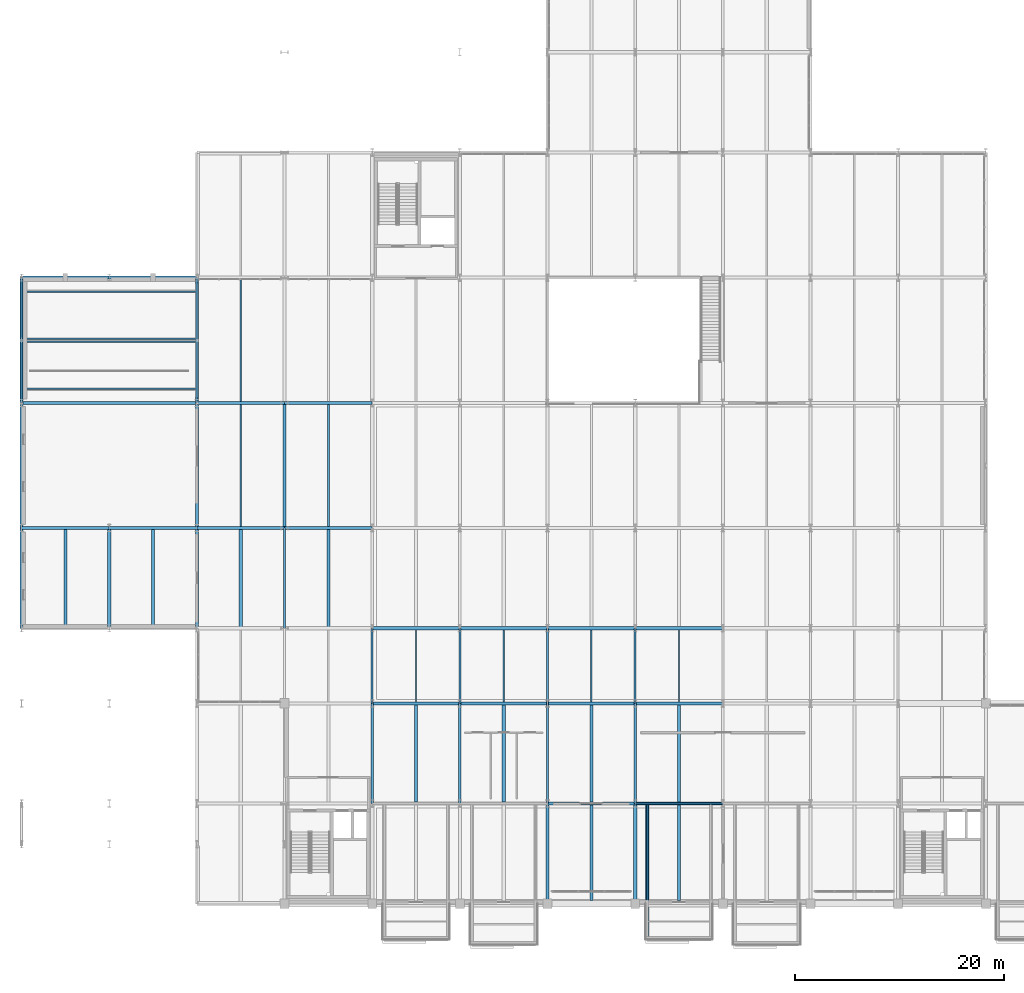
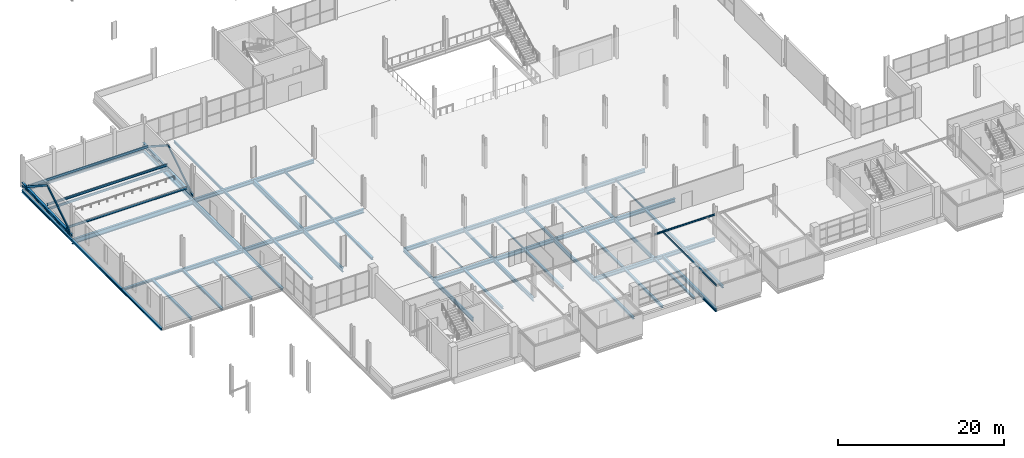
# One storey, part 20 of 113: 64 beams, 4 members.
"""IFC4 building model written with IfcOpenShell, lengths in metres."""

from ifc_helpers import new_model, si_unit, direction, frame, origin, origin_2d, place, context, subcontext, project, spatial, hollow_rectangle, i_section, extrude, material, material_profile, profile_set, type_object, element, save


model = new_model("IFC4")

# Units and contexts
model_context = context("Model", 3, precision=1e-05, world=origin(), true_north=direction((0.0, 1.0)))
body_context = subcontext(model_context, "Body", "Model", "MODEL_VIEW")
ifc_project = project(units=[si_unit("LENGTHUNIT", "METRE"), si_unit("AREAUNIT", "SQUARE_METRE"), si_unit("VOLUMEUNIT", "CUBIC_METRE"), si_unit("PLANEANGLEUNIT", "RADIAN"), si_unit("MASSUNIT", "GRAM", prefix="KILO")], contexts=[model_context])

# Site, building, storey
site_placement = place(None, origin())
site = spatial("IfcSite", under=ifc_project, at=site_placement, CompositionType="ELEMENT")
building_placement = place(site_placement, origin())
building = spatial("IfcBuilding", under=site, at=building_placement, Name="Veltarok Museum of Natural Sciences", CompositionType="ELEMENT")
storey_placement = place(building_placement, frame((0.0, 0.0, 8.39990234375)))
storey = spatial("IfcBuildingStorey", under=building, at=storey_placement, Name="L01", CompositionType="ELEMENT", Elevation=8.39990234375)

# Beams
ifc_material_1 = material(Name="Steel S355J2", Category="steel")
ifc_material_profile_1 = material_profile(ifc_material_1, i_section(OverallWidth=0.300048828125, OverallDepth=0.43994140625, WebThickness=0.011474609375, FlangeThickness=0.02099609375, FilletRadius=0.027099609375, at=origin_2d()), Name="HEA 450")
ifc_profile_set_1 = profile_set([ifc_material_profile_1], Name="Steel S355J2")
beam_type_1 = type_object("IfcBeamType", Name="Auditorium Tier Raker Beam HEA 450", PredefinedType="BEAM", material=ifc_profile_set_1)
for number, where, z_axis, x_axis, name in (
    (1, (6.39990234375, 48.0, 0.260009765625), (0.0, 0.999445177762, 0.033306705753), (-1.0, 0.0, 0.0), "Auditorium Balcony Raker Beam RAKER-L01-1"),
    (2, (23.199951171875, 48.0, 0.260009765625), (0.0, 0.999445177762, 0.033306705753), (-1.0, 0.0, 0.0), "Auditorium Balcony Raker Beam RAKER-L01-2"),
):
    element("IfcBeam", number, at=place(storey_placement, frame(where, z_axis=z_axis, x_axis=x_axis)), inside=storey, type_object=beam_type_1, Name=name, PredefinedType="BEAM", context=body_context, shape_type="SweptSolid", body=[
        extrude(i_section(OverallWidth=0.300048828125, OverallDepth=0.43994140625, WebThickness=0.011474609375, FlangeThickness=0.02099609375, FilletRadius=0.027099609375, at=origin_2d()), origin(), (0.0, 0.0, 1.0), 12.006591796875),
    ])
ifc_material_profile_2 = material_profile(ifc_material_1, i_section(OverallWidth=0.300048828125, OverallDepth=0.5, WebThickness=0.014404296875, FlangeThickness=0.028076171875, FilletRadius=0.027099609375, at=origin_2d()), Name="HEB 500")
ifc_profile_set_2 = profile_set([ifc_material_profile_2], Name="Steel S355J2")
beam_type_2 = type_object("IfcBeamType", Name="Cabinet Box Cantilever Girder HEB 500", PredefinedType="BEAM", material=ifc_profile_set_2)
beam_1_placement = place(storey_placement, frame((66.35009765625, -3.39990234375, -0.5), z_axis=(0.0, 1.0, 0.0), x_axis=(-1.0, 0.0, 0.0)))
element("IfcBeam", 3, at=beam_1_placement, inside=storey, type_object=beam_type_2, Name="Cabinet Cantilever Girder DB-03-1", PredefinedType="BEAM", context=body_context, shape_type="SweptSolid", body=[
    extrude(i_section(OverallWidth=0.300048828125, OverallDepth=0.5, WebThickness=0.014404296875, FlangeThickness=0.028076171875, FilletRadius=0.027099609375, at=origin_2d()), origin(), (0.0, 0.0, 1.0), 13.0),
])
ifc_material_profile_3 = material_profile(ifc_material_1, i_section(OverallWidth=0.1201171875, OverallDepth=0.239990234375, WebThickness=0.006103515625, FlangeThickness=0.009765625, FilletRadius=0.014892578125, at=origin_2d()), Name="IPE 240")
ifc_profile_set_3 = profile_set([ifc_material_profile_3], Name="Steel S355J2")
beam_type_3 = type_object("IfcBeamType", Name="Cabinet Box Secondary Joist IPE 240", PredefinedType="JOIST", material=ifc_profile_set_3)
beam_2_placement = place(storey_placement, frame((66.35009765625, -3.39990234375, 3.130126953125), z_axis=(0.0, 1.0, 0.0), x_axis=(-1.0, 0.0, 0.0)))
element("IfcBeam", 4, at=beam_2_placement, inside=storey, type_object=beam_type_3, Name="Cabinet Roof Rafter DB-03-1", PredefinedType="JOIST", context=body_context, shape_type="SweptSolid", body=[
    extrude(i_section(OverallWidth=0.1201171875, OverallDepth=0.239990234375, WebThickness=0.006103515625, FlangeThickness=0.009765625, FilletRadius=0.014892578125, at=origin_2d()), origin(), (0.0, 0.0, 1.0), 13.0),
])
beam_3_placement = place(storey_placement, frame((65.199951171875, 9.60009765625, 3.130126953125), z_axis=(1.0, 0.0, 0.0), x_axis=(0.0, 1.0, 0.0)))
element("IfcBeam", 5, at=beam_3_placement, inside=storey, type_object=beam_type_3, Name="Cabinet Roof Tie Beam DB-03-I", PredefinedType="JOIST", context=body_context, shape_type="SweptSolid", body=[
    extrude(i_section(OverallWidth=0.1201171875, OverallDepth=0.239990234375, WebThickness=0.006103515625, FlangeThickness=0.009765625, FilletRadius=0.014892578125, at=origin_2d()), origin(), (0.0, 0.0, 1.0), 8.400146484375),
])
ifc_material_profile_4 = material_profile(ifc_material_1, i_section(OverallWidth=0.300048828125, OverallDepth=0.330078125, WebThickness=0.009521484375, FlangeThickness=0.0166015625, FilletRadius=0.027099609375, at=origin_2d()), Name="HEA 340")
ifc_profile_set_4 = profile_set([ifc_material_profile_4], Name="Steel S355J2")
beam_type_4 = type_object("IfcBeamType", Name="Exhibition Floor Joist HEA 340", PredefinedType="JOIST", material=ifc_profile_set_4)
for number, where, z_axis, x_axis, name in (
    (6, (10.60009765625, 26.548095703125, -0.414794921875), (0.0, 1.0, 0.0), (-1.0, 0.0, 0.0), "Secondary Joist BM-J08 L01 1-2/D-E.1"),
    (7, (19.0, 26.548095703125, -0.414794921875), (0.0, 1.0, 0.0), (-1.0, 0.0, 0.0), "Secondary Joist BM-J08 L01 2-3/D-E.1"),
    (8, (27.39990234375, 26.548095703125, -0.414794921875), (0.0, 1.0, 0.0), (-1.0, 0.0, 0.0), "Secondary Joist BM-J08 L01 3-4/D-E.1"),
    (9, (35.800048828125, 26.548095703125, -0.414794921875), (0.0, 1.0, 0.0), (-1.0, 0.0, 0.0), "Secondary Joist BM-J08 L01 4-5/D-E.1"),
    (10, (44.199951171875, 9.748046875, -0.414794921875), (0.0, 1.0, 0.0), (-1.0, 0.0, 0.0), "Secondary Joist BM-J08 L01 5-6/B-C.1"),
    (11, (52.60009765625, 9.748046875, -0.414794921875), (0.0, 1.0, 0.0), (-1.0, 0.0, 0.0), "Secondary Joist BM-J08 L01 6-7/B-C.1"),
):
    element("IfcBeam", number, at=place(storey_placement, frame(where, z_axis=z_axis, x_axis=x_axis)), inside=storey, type_object=beam_type_4, Name=name, PredefinedType="JOIST", context=body_context, shape_type="SweptSolid", body=[
        extrude(i_section(OverallWidth=0.300048828125, OverallDepth=0.330078125, WebThickness=0.009521484375, FlangeThickness=0.0166015625, FilletRadius=0.027099609375, at=origin_2d()), origin(), (0.0, 0.0, 1.0), 9.303955078125),
    ])
beam_4_placement = place(storey_placement, frame((61.0, 0.298095703125, -0.414794921875), z_axis=(0.0, 1.0, 0.0), x_axis=(-1.0, 0.0, 0.0)))
element("IfcBeam", 12, at=beam_4_placement, inside=storey, type_object=beam_type_4, Name="Secondary Joist BM-J08 L01 7-8/A-B.1", PredefinedType="JOIST", context=body_context, shape_type="SweptSolid", body=[
    extrude(i_section(OverallWidth=0.300048828125, OverallDepth=0.330078125, WebThickness=0.009521484375, FlangeThickness=0.0166015625, FilletRadius=0.027099609375, at=origin_2d()), origin(), (0.0, 0.0, 1.0), 9.15380859375),
])
beam_5_placement = place(storey_placement, frame((61.0, 9.748046875, -0.414794921875), z_axis=(0.0, 1.0, 0.0), x_axis=(-1.0, 0.0, 0.0)))
element("IfcBeam", 13, at=beam_5_placement, inside=storey, type_object=beam_type_4, Name="Secondary Joist BM-J08 L01 7-8/B-C.1", PredefinedType="JOIST", context=body_context, shape_type="SweptSolid", body=[
    extrude(i_section(OverallWidth=0.300048828125, OverallDepth=0.330078125, WebThickness=0.009521484375, FlangeThickness=0.0166015625, FilletRadius=0.027099609375, at=origin_2d()), origin(), (0.0, 0.0, 1.0), 9.303955078125),
])
beam_6_placement = place(storey_placement, frame((69.39990234375, 0.298095703125, -0.414794921875), z_axis=(0.0, 1.0, 0.0), x_axis=(-1.0, 0.0, 0.0)))
element("IfcBeam", 14, at=beam_6_placement, inside=storey, type_object=beam_type_4, Name="Secondary Joist BM-J08 L01 8-9/A-B.1", PredefinedType="JOIST", context=body_context, shape_type="SweptSolid", body=[
    extrude(i_section(OverallWidth=0.300048828125, OverallDepth=0.330078125, WebThickness=0.009521484375, FlangeThickness=0.0166015625, FilletRadius=0.027099609375, at=origin_2d()), origin(), (0.0, 0.0, 1.0), 9.15380859375),
])
beam_7_placement = place(storey_placement, frame((69.39990234375, 9.748046875, -0.414794921875), z_axis=(0.0, 1.0, 0.0), x_axis=(-1.0, 0.0, 0.0)))
element("IfcBeam", 15, at=beam_7_placement, inside=storey, type_object=beam_type_4, Name="Secondary Joist BM-J08 L01 8-9/B-C.1", PredefinedType="JOIST", context=body_context, shape_type="SweptSolid", body=[
    extrude(i_section(OverallWidth=0.300048828125, OverallDepth=0.330078125, WebThickness=0.009521484375, FlangeThickness=0.0166015625, FilletRadius=0.027099609375, at=origin_2d()), origin(), (0.0, 0.0, 1.0), 9.303955078125),
])
ifc_material_profile_5 = material_profile(ifc_material_1, i_section(OverallWidth=0.300048828125, OverallDepth=0.550048828125, WebThickness=0.014892578125, FlangeThickness=0.029052734375, FilletRadius=0.027099609375, at=origin_2d()), Name="HEB 550")
ifc_profile_set_5 = profile_set([ifc_material_profile_5], Name="Steel S355J2")
beam_type_5 = type_object("IfcBeamType", Name="Gallery Girder HEB 550", PredefinedType="BEAM", material=ifc_profile_set_5)
beam_8_placement = place(storey_placement, frame((56.800048828125, 9.60009765625, -0.52490234375), z_axis=(1.0, 0.0, 0.0), x_axis=(0.0, 1.0, 0.0)))
element("IfcBeam", 16, at=beam_8_placement, inside=storey, type_object=beam_type_5, Name="Beam BM-G10 L01 7-8/B", PredefinedType="BEAM", context=body_context, shape_type="SweptSolid", body=[
    extrude(i_section(OverallWidth=0.300048828125, OverallDepth=0.550048828125, WebThickness=0.014892578125, FlangeThickness=0.029052734375, FilletRadius=0.027099609375, at=origin_2d()), origin(), (0.0, 0.0, 1.0), 8.39990234375),
])
beam_9_placement = place(storey_placement, frame((65.199951171875, 9.60009765625, -0.52490234375), z_axis=(1.0, 0.0, 0.0), x_axis=(0.0, 1.0, 0.0)))
element("IfcBeam", 17, at=beam_9_placement, inside=storey, type_object=beam_type_5, Name="Beam BM-G10 L01 8-9/B", PredefinedType="BEAM", context=body_context, shape_type="SweptSolid", body=[
    extrude(i_section(OverallWidth=0.300048828125, OverallDepth=0.550048828125, WebThickness=0.014892578125, FlangeThickness=0.029052734375, FilletRadius=0.027099609375, at=origin_2d()), origin(), (0.0, 0.0, 1.0), 8.400146484375),
])
beam_10_placement = place(storey_placement, frame((40.0, 19.199951171875, -0.52490234375), z_axis=(1.0, 0.0, 0.0), x_axis=(0.0, 1.0, 0.0)))
element("IfcBeam", 18, at=beam_10_placement, inside=storey, type_object=beam_type_5, Name="Beam BM-G10 L01 5-6/C", PredefinedType="BEAM", context=body_context, shape_type="SweptSolid", body=[
    extrude(i_section(OverallWidth=0.300048828125, OverallDepth=0.550048828125, WebThickness=0.014892578125, FlangeThickness=0.029052734375, FilletRadius=0.027099609375, at=origin_2d()), origin(), (0.0, 0.0, 1.0), 8.39990234375),
])
beam_11_placement = place(storey_placement, frame((48.39990234375, 19.199951171875, -0.52490234375), z_axis=(1.0, 0.0, 0.0), x_axis=(0.0, 1.0, 0.0)))
element("IfcBeam", 19, at=beam_11_placement, inside=storey, type_object=beam_type_5, Name="Beam BM-G10 L01 6-7/C", PredefinedType="BEAM", context=body_context, shape_type="SweptSolid", body=[
    extrude(i_section(OverallWidth=0.300048828125, OverallDepth=0.550048828125, WebThickness=0.014892578125, FlangeThickness=0.029052734375, FilletRadius=0.027099609375, at=origin_2d()), origin(), (0.0, 0.0, 1.0), 8.400146484375),
])
beam_12_placement = place(storey_placement, frame((56.800048828125, 19.199951171875, -0.52490234375), z_axis=(1.0, 0.0, 0.0), x_axis=(0.0, 1.0, 0.0)))
element("IfcBeam", 20, at=beam_12_placement, inside=storey, type_object=beam_type_5, Name="Beam BM-G10 L01 7-8/C", PredefinedType="BEAM", context=body_context, shape_type="SweptSolid", body=[
    extrude(i_section(OverallWidth=0.300048828125, OverallDepth=0.550048828125, WebThickness=0.014892578125, FlangeThickness=0.029052734375, FilletRadius=0.027099609375, at=origin_2d()), origin(), (0.0, 0.0, 1.0), 8.39990234375),
])
beam_13_placement = place(storey_placement, frame((65.199951171875, 19.199951171875, -0.52490234375), z_axis=(1.0, 0.0, 0.0), x_axis=(0.0, 1.0, 0.0)))
element("IfcBeam", 21, at=beam_13_placement, inside=storey, type_object=beam_type_5, Name="Beam BM-G10 L01 8-9/C", PredefinedType="BEAM", context=body_context, shape_type="SweptSolid", body=[
    extrude(i_section(OverallWidth=0.300048828125, OverallDepth=0.550048828125, WebThickness=0.014892578125, FlangeThickness=0.029052734375, FilletRadius=0.027099609375, at=origin_2d()), origin(), (0.0, 0.0, 1.0), 8.400146484375),
])
beam_14_placement = place(storey_placement, frame((40.0, 26.39990234375, -0.52490234375), z_axis=(1.0, 0.0, 0.0), x_axis=(0.0, 1.0, 0.0)))
element("IfcBeam", 22, at=beam_14_placement, inside=storey, type_object=beam_type_5, Name="Beam BM-G10 L01 5-6/D", PredefinedType="BEAM", context=body_context, shape_type="SweptSolid", body=[
    extrude(i_section(OverallWidth=0.300048828125, OverallDepth=0.550048828125, WebThickness=0.014892578125, FlangeThickness=0.029052734375, FilletRadius=0.027099609375, at=origin_2d()), origin(), (0.0, 0.0, 1.0), 8.39990234375),
])
beam_15_placement = place(storey_placement, frame((48.39990234375, 26.39990234375, -0.52490234375), z_axis=(1.0, 0.0, 0.0), x_axis=(0.0, 1.0, 0.0)))
element("IfcBeam", 23, at=beam_15_placement, inside=storey, type_object=beam_type_5, Name="Beam BM-G10 L01 6-7/D", PredefinedType="BEAM", context=body_context, shape_type="SweptSolid", body=[
    extrude(i_section(OverallWidth=0.300048828125, OverallDepth=0.550048828125, WebThickness=0.014892578125, FlangeThickness=0.029052734375, FilletRadius=0.027099609375, at=origin_2d()), origin(), (0.0, 0.0, 1.0), 8.400146484375),
])
beam_16_placement = place(storey_placement, frame((56.800048828125, 26.39990234375, -0.52490234375), z_axis=(1.0, 0.0, 0.0), x_axis=(0.0, 1.0, 0.0)))
element("IfcBeam", 24, at=beam_16_placement, inside=storey, type_object=beam_type_5, Name="Beam BM-G10 L01 7-8/D", PredefinedType="BEAM", context=body_context, shape_type="SweptSolid", body=[
    extrude(i_section(OverallWidth=0.300048828125, OverallDepth=0.550048828125, WebThickness=0.014892578125, FlangeThickness=0.029052734375, FilletRadius=0.027099609375, at=origin_2d()), origin(), (0.0, 0.0, 1.0), 8.39990234375),
])
beam_17_placement = place(storey_placement, frame((65.199951171875, 26.39990234375, -0.52490234375), z_axis=(1.0, 0.0, 0.0), x_axis=(0.0, 1.0, 0.0)))
element("IfcBeam", 25, at=beam_17_placement, inside=storey, type_object=beam_type_5, Name="Beam BM-G10 L01 8-9/D", PredefinedType="BEAM", context=body_context, shape_type="SweptSolid", body=[
    extrude(i_section(OverallWidth=0.300048828125, OverallDepth=0.550048828125, WebThickness=0.014892578125, FlangeThickness=0.029052734375, FilletRadius=0.027099609375, at=origin_2d()), origin(), (0.0, 0.0, 1.0), 8.400146484375),
])
beam_18_placement = place(storey_placement, frame((14.800048828125, 36.0, -0.52490234375), z_axis=(1.0, 0.0, 0.0), x_axis=(0.0, 1.0, 0.0)))
element("IfcBeam", 26, at=beam_18_placement, inside=storey, type_object=beam_type_5, Name="Beam BM-G10 L01 2-3/E", PredefinedType="BEAM", context=body_context, shape_type="SweptSolid", body=[
    extrude(i_section(OverallWidth=0.300048828125, OverallDepth=0.550048828125, WebThickness=0.014892578125, FlangeThickness=0.029052734375, FilletRadius=0.027099609375, at=origin_2d()), origin(), (0.0, 0.0, 1.0), 8.39990234375),
])
beam_19_placement = place(storey_placement, frame((23.199951171875, 36.0, -0.52490234375), z_axis=(1.0, 0.0, 0.0), x_axis=(0.0, 1.0, 0.0)))
element("IfcBeam", 27, at=beam_19_placement, inside=storey, type_object=beam_type_5, Name="Beam BM-G10 L01 3-4/E", PredefinedType="BEAM", context=body_context, shape_type="SweptSolid", body=[
    extrude(i_section(OverallWidth=0.300048828125, OverallDepth=0.550048828125, WebThickness=0.014892578125, FlangeThickness=0.029052734375, FilletRadius=0.027099609375, at=origin_2d()), origin(), (0.0, 0.0, 1.0), 8.400146484375),
])
beam_20_placement = place(storey_placement, frame((31.60009765625, 36.0, -0.52490234375), z_axis=(1.0, 0.0, 0.0), x_axis=(0.0, 1.0, 0.0)))
element("IfcBeam", 28, at=beam_20_placement, inside=storey, type_object=beam_type_5, Name="Beam BM-G10 L01 4-5/E", PredefinedType="BEAM", context=body_context, shape_type="SweptSolid", body=[
    extrude(i_section(OverallWidth=0.300048828125, OverallDepth=0.550048828125, WebThickness=0.014892578125, FlangeThickness=0.029052734375, FilletRadius=0.027099609375, at=origin_2d()), origin(), (0.0, 0.0, 1.0), 8.39990234375),
])
beam_21_placement = place(storey_placement, frame((23.199951171875, 48.0, -0.52490234375), z_axis=(1.0, 0.0, 0.0), x_axis=(0.0, 1.0, 0.0)))
element("IfcBeam", 29, at=beam_21_placement, inside=storey, type_object=beam_type_5, Name="Beam BM-G10 L01 3-4/F", PredefinedType="BEAM", context=body_context, shape_type="SweptSolid", body=[
    extrude(i_section(OverallWidth=0.300048828125, OverallDepth=0.550048828125, WebThickness=0.014892578125, FlangeThickness=0.029052734375, FilletRadius=0.027099609375, at=origin_2d()), origin(), (0.0, 0.0, 1.0), 8.400146484375),
])
beam_22_placement = place(storey_placement, frame((31.60009765625, 48.0, -0.52490234375), z_axis=(1.0, 0.0, 0.0), x_axis=(0.0, 1.0, 0.0)))
element("IfcBeam", 30, at=beam_22_placement, inside=storey, type_object=beam_type_5, Name="Beam BM-G10 L01 4-5/F", PredefinedType="BEAM", context=body_context, shape_type="SweptSolid", body=[
    extrude(i_section(OverallWidth=0.300048828125, OverallDepth=0.550048828125, WebThickness=0.014892578125, FlangeThickness=0.029052734375, FilletRadius=0.027099609375, at=origin_2d()), origin(), (0.0, 0.0, 1.0), 8.39990234375),
])
ifc_material_profile_6 = material_profile(ifc_material_1, i_section(OverallWidth=0.18994140625, OverallDepth=0.449951171875, WebThickness=0.009521484375, FlangeThickness=0.0146484375, FilletRadius=0.02099609375, at=origin_2d()), Name="IPE 450")
ifc_profile_set_6 = profile_set([ifc_material_profile_6], Name="Steel S355J2")
beam_type_6 = type_object("IfcBeamType", Name="Laboratory Floor Girder IPE 450", PredefinedType="BEAM", material=ifc_profile_set_6)
for number, where, z_axis, x_axis, name in (
    (31, (40.0, 19.199951171875, -0.474853515625), (0.0, 1.0, 0.0), (-1.0, 0.0, 0.0), "Beam BM-G05 L01 5/C-D"),
    (32, (48.39990234375, 19.199951171875, -0.474853515625), (0.0, 1.0, 0.0), (-1.0, 0.0, 0.0), "Beam BM-G05 L01 6/C-D"),
    (33, (56.800048828125, 19.199951171875, -0.474853515625), (0.0, 1.0, 0.0), (-1.0, 0.0, 0.0), "Beam BM-G05 L01 7/C-D"),
    (34, (65.199951171875, 19.199951171875, -0.474853515625), (0.0, 1.0, 0.0), (-1.0, 0.0, 0.0), "Beam BM-G05 L01 8/C-D"),
):
    element("IfcBeam", number, at=place(storey_placement, frame(where, z_axis=z_axis, x_axis=x_axis)), inside=storey, type_object=beam_type_6, Name=name, PredefinedType="BEAM", context=body_context, shape_type="SweptSolid", body=[
        extrude(i_section(OverallWidth=0.18994140625, OverallDepth=0.449951171875, WebThickness=0.009521484375, FlangeThickness=0.0146484375, FilletRadius=0.02099609375, at=origin_2d()), origin(), (0.0, 0.0, 1.0), 7.199951171875),
    ])
ifc_material_profile_7 = material_profile(ifc_material_1, i_section(OverallWidth=0.169921875, OverallDepth=0.360107421875, WebThickness=0.008056640625, FlangeThickness=0.0126953125, FilletRadius=0.01806640625, at=origin_2d()), Name="IPE 360")
ifc_profile_set_7 = profile_set([ifc_material_profile_7], Name="Steel S355J2")
beam_type_7 = type_object("IfcBeamType", Name="Long-Bay Composite Joist IPE 360", PredefinedType="JOIST", material=ifc_profile_set_7)
for number, where, z_axis, x_axis, name in (
    (35, (27.39990234375, 36.14794921875, -0.429931640625), (0.0, 1.0, 0.0), (-1.0, 0.0, 0.0), "Secondary Joist BM-J01 L01 3-4/E-F.1"),
    (36, (27.39990234375, 48.14794921875, -0.429931640625), (0.0, 1.0, 0.0), (-1.0, 0.0, 0.0), "Secondary Joist BM-J01 L01 3-4/F-G.1"),
    (37, (35.800048828125, 36.14794921875, -0.429931640625), (0.0, 1.0, 0.0), (-1.0, 0.0, 0.0), "Secondary Joist BM-J01 L01 4-5/E-F.1"),
):
    element("IfcBeam", number, at=place(storey_placement, frame(where, z_axis=z_axis, x_axis=x_axis)), inside=storey, type_object=beam_type_7, Name=name, PredefinedType="JOIST", context=body_context, shape_type="SweptSolid", body=[
        extrude(i_section(OverallWidth=0.169921875, OverallDepth=0.360107421875, WebThickness=0.008056640625, FlangeThickness=0.0126953125, FilletRadius=0.01806640625, at=origin_2d()), origin(), (0.0, 0.0, 1.0), 11.7041015625),
    ])
ifc_material_profile_8 = material_profile(ifc_material_1, i_section(OverallWidth=0.300048828125, OverallDepth=0.699951171875, WebThickness=0.01708984375, FlangeThickness=0.031982421875, FilletRadius=0.027099609375, at=origin_2d()), Name="HEB 700")
ifc_profile_set_8 = profile_set([ifc_material_profile_8], Name="Steel S355J2")
beam_type_8 = type_object("IfcBeamType", Name="Long-Span Hall Girder HEB 700", PredefinedType="BEAM", material=ifc_profile_set_8)
beam_23_placement = place(storey_placement, frame((6.39990234375, 48.0, -0.599853515625), z_axis=(1.0, 0.0, 0.0), x_axis=(0.0, 1.0, 0.0)))
element("IfcBeam", 38, at=beam_23_placement, inside=storey, type_object=beam_type_8, Name="Auditorium Long-Span Girder L01 1-3/F", PredefinedType="BEAM", context=body_context, shape_type="SweptSolid", body=[
    extrude(i_section(OverallWidth=0.300048828125, OverallDepth=0.699951171875, WebThickness=0.01708984375, FlangeThickness=0.031982421875, FilletRadius=0.027099609375, at=origin_2d()), origin(), (0.0, 0.0, 1.0), 16.800048828125),
])
for number, where, z_axis, x_axis, name in (
    (39, (23.199951171875, 36.0, -0.599853515625), (0.0, 1.0, 0.0), (-1.0, 0.0, 0.0), "Beam BM-G01 L01 3/E-F"),
    (40, (31.60009765625, 36.0, -0.599853515625), (0.0, 1.0, 0.0), (-1.0, 0.0, 0.0), "Beam BM-G01 L01 4/E-F"),
):
    element("IfcBeam", number, at=place(storey_placement, frame(where, z_axis=z_axis, x_axis=x_axis)), inside=storey, type_object=beam_type_8, Name=name, PredefinedType="BEAM", context=body_context, shape_type="SweptSolid", body=[
        extrude(i_section(OverallWidth=0.300048828125, OverallDepth=0.699951171875, WebThickness=0.01708984375, FlangeThickness=0.031982421875, FilletRadius=0.027099609375, at=origin_2d()), origin(), (0.0, 0.0, 1.0), 12.0),
    ])
ifc_material_profile_9 = material_profile(ifc_material_1, i_section(OverallWidth=0.159912109375, OverallDepth=0.330078125, WebThickness=0.007568359375, FlangeThickness=0.011474609375, FilletRadius=0.01806640625, at=origin_2d()), Name="IPE 330")
ifc_profile_set_9 = profile_set([ifc_material_profile_9], Name="Steel S355J2")
beam_type_9 = type_object("IfcBeamType", Name="Medium-Bay Composite Joist IPE 330", PredefinedType="JOIST", material=ifc_profile_set_9)
for number, where, z_axis, x_axis, name in (
    (41, (6.39990234375, 49.35009765625, 0.635009765625), (1.0, 0.0, 0.0), (0.0, 1.0, 0.0), "Auditorium Balcony Tier Joist L01-1F"),
    (42, (6.39990234375, 53.85009765625, 0.635009765625), (1.0, 0.0, 0.0), (0.0, 1.0, 0.0), "Auditorium Balcony Tier Joist L01-1B"),
    (43, (6.39990234375, 54.14990234375, 1.085205078125), (1.0, 0.0, 0.0), (0.0, 1.0, 0.0), "Auditorium Balcony Tier Joist L01-2F"),
    (44, (6.39990234375, 58.64990234375, 1.085205078125), (1.0, 0.0, 0.0), (0.0, 1.0, 0.0), "Auditorium Balcony Tier Joist L01-2B"),
):
    element("IfcBeam", number, at=place(storey_placement, frame(where, z_axis=z_axis, x_axis=x_axis)), inside=storey, type_object=beam_type_9, Name=name, PredefinedType="JOIST", context=body_context, shape_type="SweptSolid", body=[
        extrude(i_section(OverallWidth=0.159912109375, OverallDepth=0.330078125, WebThickness=0.007568359375, FlangeThickness=0.011474609375, FilletRadius=0.01806640625, at=origin_2d()), origin(), (0.0, 0.0, 1.0), 16.800048828125),
    ])

# Members
ifc_material_2 = material(Name="Oxide-red painted Steel S355J2", Category="steel")
ifc_material_profile_10 = material_profile(ifc_material_2, hollow_rectangle(XDim=0.14990234375, YDim=0.25, WallThickness=0.010009765625, at=origin_2d()), Name="RHS 250x150x10")
ifc_profile_set_10 = profile_set([ifc_material_profile_10], Name="Oxide-red painted Steel S355J2")
member_type = type_object("IfcMemberType", Name="Perimeter Frame Lateral Brace RHS 250x150x10", PredefinedType="BRACE", material=ifc_profile_set_10)
for number, where, z_axis, x_axis, name in (
    (45, (6.39990234375, 48.0, 0.150146484375), (0.0, 0.840366487678, 0.54201860336), (-1.0, 0.0, 0.0), "Chevron Lateral Brace L01 1/F-G"),
    (46, (6.39990234375, 60.0, 0.150146484375), (0.0, -0.840366487678, 0.54201860336), (1.0, 0.0, 0.0), "Chevron Lateral Brace L01 1/F-G"),
    (47, (23.199951171875, 48.0, 0.150146484375), (0.0, 0.840366487678, 0.54201860336), (-1.0, 0.0, 0.0), "Chevron Lateral Brace L01 3/F-G"),
    (48, (23.199951171875, 60.0, 0.150146484375), (0.0, -0.840366487678, 0.54201860336), (1.0, 0.0, 0.0), "Chevron Lateral Brace L01 3/F-G"),
):
    element("IfcMember", number, at=place(storey_placement, frame(where, z_axis=z_axis, x_axis=x_axis)), inside=storey, type_object=member_type, Name=name, PredefinedType="BRACE", context=body_context, shape_type="SweptSolid", body=[
        extrude(hollow_rectangle(XDim=0.14990234375, YDim=0.25, WallThickness=0.010009765625, at=origin_2d()), origin(), (0.0, 0.0, 1.0), 7.1396484375),
    ])

# Beams
ifc_material_profile_11 = material_profile(ifc_material_1, i_section(OverallWidth=0.300048828125, OverallDepth=0.320068359375, WebThickness=0.011474609375, FlangeThickness=0.0205078125, FilletRadius=0.027099609375, at=origin_2d()), Name="HEB 320")
ifc_profile_set_11 = profile_set([ifc_material_profile_11], Name="Steel S355J2")
beam_type_10 = type_object("IfcBeamType", Name="Perimeter Sawtooth Spandrel HEB 320", PredefinedType="SPANDREL", material=ifc_profile_set_11)
for number, where, z_axis, x_axis, name in (
    (49, (6.39990234375, 36.0, -0.409912109375), (1.0, 0.0, 0.0), (0.0, 1.0, 0.0), "Beam BM-SP06 L01 1-2/E"),
    (50, (6.39990234375, 60.0, -0.409912109375), (1.0, 0.0, 0.0), (0.0, 1.0, 0.0), "Beam BM-SP06 L01 1-2/G"),
):
    element("IfcBeam", number, at=place(storey_placement, frame(where, z_axis=z_axis, x_axis=x_axis)), inside=storey, type_object=beam_type_10, Name=name, PredefinedType="SPANDREL", context=body_context, shape_type="SweptSolid", body=[
        extrude(i_section(OverallWidth=0.300048828125, OverallDepth=0.320068359375, WebThickness=0.011474609375, FlangeThickness=0.0205078125, FilletRadius=0.027099609375, at=origin_2d()), origin(), (0.0, 0.0, 1.0), 8.400146484375),
    ])
beam_24_placement = place(storey_placement, frame((14.800048828125, 60.0, -0.409912109375), z_axis=(1.0, 0.0, 0.0), x_axis=(0.0, 1.0, 0.0)))
element("IfcBeam", 51, at=beam_24_placement, inside=storey, type_object=beam_type_10, Name="Beam BM-SP06 L01 2-3/G", PredefinedType="SPANDREL", context=body_context, shape_type="SweptSolid", body=[
    extrude(i_section(OverallWidth=0.300048828125, OverallDepth=0.320068359375, WebThickness=0.011474609375, FlangeThickness=0.0205078125, FilletRadius=0.027099609375, at=origin_2d()), origin(), (0.0, 0.0, 1.0), 8.39990234375),
])
beam_25_placement = place(storey_placement, frame((6.39990234375, 26.39990234375, -0.409912109375), z_axis=(0.0, 1.0, 0.0), x_axis=(-1.0, 0.0, 0.0)))
element("IfcBeam", 52, at=beam_25_placement, inside=storey, type_object=beam_type_10, Name="Beam BM-SP06 L01 1/D-E", PredefinedType="SPANDREL", context=body_context, shape_type="SweptSolid", body=[
    extrude(i_section(OverallWidth=0.300048828125, OverallDepth=0.320068359375, WebThickness=0.011474609375, FlangeThickness=0.0205078125, FilletRadius=0.027099609375, at=origin_2d()), origin(), (0.0, 0.0, 1.0), 9.60009765625),
])
for number, where, z_axis, x_axis, name in (
    (53, (6.39990234375, 36.0, -0.409912109375), (0.0, 1.0, 0.0), (-1.0, 0.0, 0.0), "Beam BM-SP06 L01 1/E-F"),
    (54, (6.39990234375, 48.0, -0.409912109375), (0.0, 1.0, 0.0), (-1.0, 0.0, 0.0), "Beam BM-SP06 L01 1/F-G"),
):
    element("IfcBeam", number, at=place(storey_placement, frame(where, z_axis=z_axis, x_axis=x_axis)), inside=storey, type_object=beam_type_10, Name=name, PredefinedType="SPANDREL", context=body_context, shape_type="SweptSolid", body=[
        extrude(i_section(OverallWidth=0.300048828125, OverallDepth=0.320068359375, WebThickness=0.011474609375, FlangeThickness=0.0205078125, FilletRadius=0.027099609375, at=origin_2d()), origin(), (0.0, 0.0, 1.0), 12.0),
    ])
for number, where, z_axis, x_axis, name in (
    (55, (14.800048828125, 26.39990234375, -0.409912109375), (0.0, 1.0, 0.0), (-1.0, 0.0, 0.0), "Beam BM-SP06 L01 2/D-E"),
    (56, (23.199951171875, 26.39990234375, -0.409912109375), (0.0, 1.0, 0.0), (-1.0, 0.0, 0.0), "Beam BM-SP06 L01 3/D-E"),
):
    element("IfcBeam", number, at=place(storey_placement, frame(where, z_axis=z_axis, x_axis=x_axis)), inside=storey, type_object=beam_type_10, Name=name, PredefinedType="SPANDREL", context=body_context, shape_type="SweptSolid", body=[
        extrude(i_section(OverallWidth=0.300048828125, OverallDepth=0.320068359375, WebThickness=0.011474609375, FlangeThickness=0.0205078125, FilletRadius=0.027099609375, at=origin_2d()), origin(), (0.0, 0.0, 1.0), 9.60009765625),
    ])
beam_26_placement = place(storey_placement, frame((23.199951171875, 48.0, -0.409912109375), z_axis=(0.0, 1.0, 0.0), x_axis=(-1.0, 0.0, 0.0)))
element("IfcBeam", 57, at=beam_26_placement, inside=storey, type_object=beam_type_10, Name="Beam BM-SP06 L01 3/F-G", PredefinedType="SPANDREL", context=body_context, shape_type="SweptSolid", body=[
    extrude(i_section(OverallWidth=0.300048828125, OverallDepth=0.320068359375, WebThickness=0.011474609375, FlangeThickness=0.0205078125, FilletRadius=0.027099609375, at=origin_2d()), origin(), (0.0, 0.0, 1.0), 12.0),
])
for number, where, z_axis, x_axis, name in (
    (58, (56.800048828125, 0.0, -0.409912109375), (0.0, 1.0, 0.0), (-1.0, 0.0, 0.0), "Beam BM-SP06 L01 7/A-B"),
    (59, (65.199951171875, 0.0, -0.409912109375), (0.0, 1.0, 0.0), (-1.0, 0.0, 0.0), "Beam BM-SP06 L01 8/A-B"),
):
    element("IfcBeam", number, at=place(storey_placement, frame(where, z_axis=z_axis, x_axis=x_axis)), inside=storey, type_object=beam_type_10, Name=name, PredefinedType="SPANDREL", context=body_context, shape_type="SweptSolid", body=[
        extrude(i_section(OverallWidth=0.300048828125, OverallDepth=0.320068359375, WebThickness=0.011474609375, FlangeThickness=0.0205078125, FilletRadius=0.027099609375, at=origin_2d()), origin(), (0.0, 0.0, 1.0), 9.60009765625),
    ])
ifc_material_profile_12 = material_profile(ifc_material_1, i_section(OverallWidth=0.219970703125, OverallDepth=0.60009765625, WebThickness=0.011962890625, FlangeThickness=0.01904296875, FilletRadius=0.02392578125, at=origin_2d()), Name="IPE 600")
ifc_profile_set_12 = profile_set([ifc_material_profile_12], Name="Steel S355J2")
beam_type_11 = type_object("IfcBeamType", Name="Primary Museum Girder IPE 600", PredefinedType="BEAM", material=ifc_profile_set_12)
beam_27_placement = place(storey_placement, frame((31.60009765625, 26.39990234375, -0.5498046875), z_axis=(0.0, 1.0, 0.0), x_axis=(-1.0, 0.0, 0.0)))
element("IfcBeam", 60, at=beam_27_placement, inside=storey, type_object=beam_type_11, Name="Beam BM-G02 L01 4/D-E", PredefinedType="BEAM", context=body_context, shape_type="SweptSolid", body=[
    extrude(i_section(OverallWidth=0.219970703125, OverallDepth=0.60009765625, WebThickness=0.011962890625, FlangeThickness=0.01904296875, FilletRadius=0.02392578125, at=origin_2d()), origin(), (0.0, 0.0, 1.0), 9.60009765625),
])
for number, where, z_axis, x_axis, name in (
    (61, (40.0, 9.60009765625, -0.5498046875), (0.0, 1.0, 0.0), (-1.0, 0.0, 0.0), "Beam BM-G02 L01 5/B-C"),
    (62, (48.39990234375, 9.60009765625, -0.5498046875), (0.0, 1.0, 0.0), (-1.0, 0.0, 0.0), "Beam BM-G02 L01 6/B-C"),
    (63, (56.800048828125, 9.60009765625, -0.5498046875), (0.0, 1.0, 0.0), (-1.0, 0.0, 0.0), "Beam BM-G02 L01 7/B-C"),
    (64, (65.199951171875, 9.60009765625, -0.5498046875), (0.0, 1.0, 0.0), (-1.0, 0.0, 0.0), "Beam BM-G02 L01 8/B-C"),
):
    element("IfcBeam", number, at=place(storey_placement, frame(where, z_axis=z_axis, x_axis=x_axis)), inside=storey, type_object=beam_type_11, Name=name, PredefinedType="BEAM", context=body_context, shape_type="SweptSolid", body=[
        extrude(i_section(OverallWidth=0.219970703125, OverallDepth=0.60009765625, WebThickness=0.011962890625, FlangeThickness=0.01904296875, FilletRadius=0.02392578125, at=origin_2d()), origin(), (0.0, 0.0, 1.0), 9.599853515625),
    ])
ifc_material_profile_13 = material_profile(ifc_material_1, i_section(OverallWidth=0.135009765625, OverallDepth=0.27001953125, WebThickness=0.006591796875, FlangeThickness=0.01025390625, FilletRadius=0.014892578125, at=origin_2d()), Name="IPE 270")
ifc_profile_set_13 = profile_set([ifc_material_profile_13], Name="Steel S355J2")
beam_type_12 = type_object("IfcBeamType", Name="Short-Bay Composite Joist IPE 270", PredefinedType="JOIST", material=ifc_profile_set_13)
for number, where, z_axis, x_axis, name in (
    (65, (44.199951171875, 19.347900390625, -0.385009765625), (0.0, 1.0, 0.0), (-1.0, 0.0, 0.0), "Secondary Joist BM-J04 L01 5-6/C-D.1"),
    (66, (52.60009765625, 19.347900390625, -0.385009765625), (0.0, 1.0, 0.0), (-1.0, 0.0, 0.0), "Secondary Joist BM-J04 L01 6-7/C-D.1"),
    (67, (61.0, 19.347900390625, -0.385009765625), (0.0, 1.0, 0.0), (-1.0, 0.0, 0.0), "Secondary Joist BM-J04 L01 7-8/C-D.1"),
    (68, (69.39990234375, 19.347900390625, -0.385009765625), (0.0, 1.0, 0.0), (-1.0, 0.0, 0.0), "Secondary Joist BM-J04 L01 8-9/C-D.1"),
):
    element("IfcBeam", number, at=place(storey_placement, frame(where, z_axis=z_axis, x_axis=x_axis)), inside=storey, type_object=beam_type_12, Name=name, PredefinedType="JOIST", context=body_context, shape_type="SweptSolid", body=[
        extrude(i_section(OverallWidth=0.135009765625, OverallDepth=0.27001953125, WebThickness=0.006591796875, FlangeThickness=0.01025390625, FilletRadius=0.014892578125, at=origin_2d()), origin(), (0.0, 0.0, 1.0), 6.904052734375),
    ])

save(model, "model.ifc")
